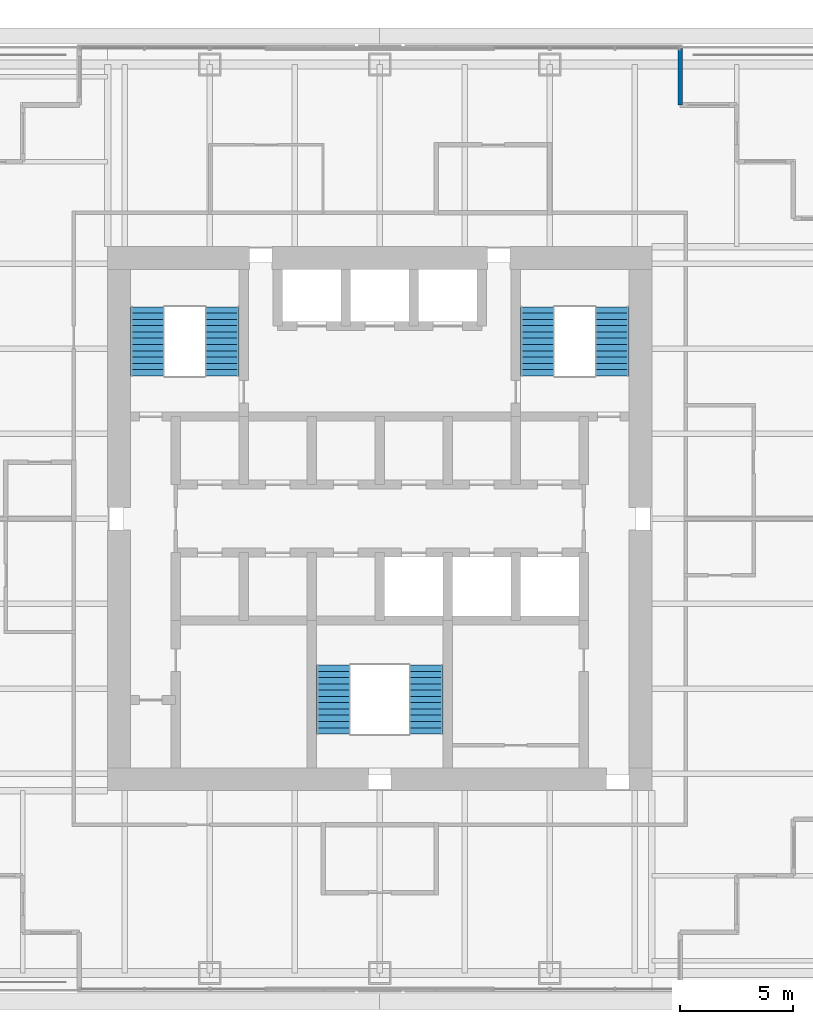
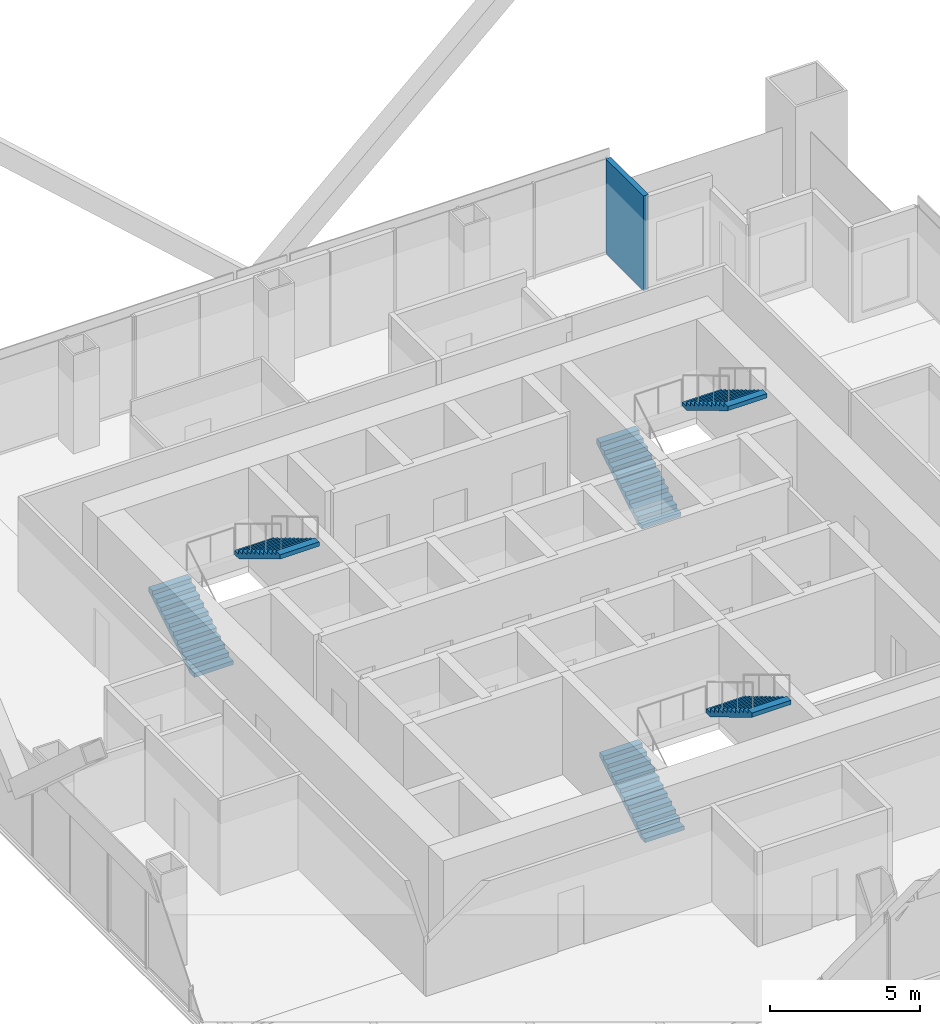
# One storey, part 17 of 19: 6 stair flights, 1 wall, 3 elements without a shape of their own.
"""IFC4 building model written with IfcOpenShell, lengths in metres."""

from ifc_helpers import new_model, si_unit, direction, frame, frame_2d, origin, place, context, subcontext, project, spatial, polyline, rectangle, outline, extrude, material, layer, layer_set, type_object, element, aggregate, save


model = new_model("IFC4")

# Units and contexts
model_context = context("Model", 3, precision=1e-05, world=origin(), true_north=direction((0.0, 1.0)))
body_context = subcontext(model_context, "Body", "Model", "MODEL_VIEW")
ifc_project = project(units=[si_unit("LENGTHUNIT", "METRE"), si_unit("AREAUNIT", "SQUARE_METRE"), si_unit("VOLUMEUNIT", "CUBIC_METRE"), si_unit("PLANEANGLEUNIT", "RADIAN"), si_unit("MASSUNIT", "GRAM", prefix="KILO")], contexts=[model_context])

# Site, building, storey
site_placement = place(None, origin())
site = spatial("IfcSite", under=ifc_project, at=site_placement, CompositionType="ELEMENT")
building_placement = place(site_placement, origin())
building = spatial("IfcBuilding", under=site, at=building_placement, Name="Tarangal Relay Tower", CompositionType="ELEMENT")
storey_placement = place(building_placement, frame((0.0, 0.0, 275.89990234375)))
storey = spatial("IfcBuildingStorey", under=building, at=storey_placement, Name="L60", CompositionType="ELEMENT", Elevation=275.89990234375)

# Wall
ifc_material_1 = material(Name="Black metal clad insulated wall", Category="steel")
ifc_layer = layer(ifc_material_1, 0.199951171875)
ifc_layer_set = layer_set([ifc_layer], Name="Corner wall metal clad 200")
wall_type = type_object("IfcWallType", Name="Corner wall metal clad 200", PredefinedType="SOLIDWALL", material=ifc_layer_set)
wall_placement = place(storey_placement, frame((13.25, 20.75, 0.0), z_axis=(0.0, 0.0, 1.0), x_axis=(0.0, -1.0, 0.0)))
element("IfcWall", 1, at=wall_placement, inside=storey, type_object=wall_type, Name="Facade wall N facade L60", PredefinedType="SOLIDWALL", context=body_context, shape_type="SweptSolid", body=[
    extrude(rectangle(XDim=2.5, YDim=0.199951171875, at=frame_2d((1.25, 0.0))), origin(), (0.0, 0.0, 1.0), 3.85009765625),
])

# Stair, stair flights
ifc_material_2 = material(Name="Steel ASTM A992 stair flight", Category="steel")
stair_type = type_object("IfcStairType", Name="Core stair 1500", PredefinedType="HALF_TURN_STAIR", material=ifc_material_2)
stair_1_placement = place(storey_placement, origin())
stair_1 = element("IfcStair", 2, at=stair_1_placement, inside=storey, type_object=stair_type, Name="Stair ST-A L60", PredefinedType="HALF_TURN_STAIR")
stair_flight_type = type_object("IfcStairFlightType", Name="Steel stair flight 1500, 12 risers 167 x 277", PredefinedType="STRAIGHT", material=ifc_material_2)
stair_flight_1_placement = place(storey_placement, frame((-10.25, 6.300048828125, 0.0), z_axis=(0.0, 0.0, 1.0), x_axis=(0.0, 1.0, 0.0)))
stair_flight_1 = element("IfcStairFlight", 3, at=stair_flight_1_placement, type_object=stair_flight_type, Name="ST-A flight 1", NumberOfRisers=12, NumberOfTreads=11, PredefinedType="STRAIGHT", RiserHeight=0.166666667, TreadLength=0.277, context=body_context, shape_type="SweptSolid", body=[
    extrude(outline(polyline([(0.0, 0.0), (0.0, 0.166748046875), (0.277099609375, 0.166748046875), (0.277099609375, 0.333251953125), (0.553955078125, 0.333251953125), (0.553955078125, 0.5), (0.8310546875, 0.5), (0.8310546875, 0.666748046875), (1.10791015625, 0.666748046875), (1.10791015625, 0.833251953125), (1.385009765625, 0.833251953125), (1.385009765625, 1.0), (1.662109375, 1.0), (1.662109375, 1.166748046875), (1.93896484375, 1.166748046875), (1.93896484375, 1.333251953125), (2.216064453125, 1.333251953125), (2.216064453125, 1.5), (2.492919921875, 1.5), (2.492919921875, 1.666748046875), (2.77001953125, 1.666748046875), (2.77001953125, 1.833251953125), (3.047119140625, 1.833251953125), (3.047119140625, 2.0), (3.047119140625, 1.658447265625), (0.290771484375, 0.0), (0.0, 0.0)])), frame((0.0, 0.75, 0.0), z_axis=(0.0, -1.0, 0.0), x_axis=(1.0, 0.0, 0.0)), (0.0, 0.0, 1.0), 1.5),
])
stair_flight_2_placement = place(storey_placement, frame((-6.949951171875, 9.346923828125, 2.0), z_axis=(0.0, 0.0, 1.0), x_axis=(0.0, -1.0, 0.0)))
stair_flight_2 = element("IfcStairFlight", 4, at=stair_flight_2_placement, type_object=stair_flight_type, Name="ST-A flight 2", NumberOfRisers=12, NumberOfTreads=11, PredefinedType="STRAIGHT", RiserHeight=0.166666667, TreadLength=0.277, context=body_context, shape_type="SweptSolid", body=[
    extrude(outline(polyline([(0.0, 0.0), (0.0, 0.166748046875), (0.277099609375, 0.166748046875), (0.277099609375, 0.333251953125), (0.553955078125, 0.333251953125), (0.553955078125, 0.5), (0.8310546875, 0.5), (0.8310546875, 0.666748046875), (1.10791015625, 0.666748046875), (1.10791015625, 0.833251953125), (1.385009765625, 0.833251953125), (1.385009765625, 1.0), (1.662109375, 1.0), (1.662109375, 1.166748046875), (1.93896484375, 1.166748046875), (1.93896484375, 1.333251953125), (2.216064453125, 1.333251953125), (2.216064453125, 1.5), (2.492919921875, 1.5), (2.492919921875, 1.666748046875), (2.77001953125, 1.666748046875), (2.77001953125, 1.833251953125), (3.047119140625, 1.833251953125), (3.047119140625, 2.0), (3.047119140625, 1.658447265625), (0.290771484375, 0.0), (0.0, 0.0)])), frame((0.0, 0.75, 0.0), z_axis=(0.0, -1.0, 0.0), x_axis=(1.0, 0.0, 0.0)), (0.0, 0.0, 1.0), 1.5),
])
aggregate(stair_1, [stair_flight_1, stair_flight_2])

stair_2_placement = place(storey_placement, origin())
stair_2 = element("IfcStair", 5, at=stair_2_placement, inside=storey, type_object=stair_type, Name="Stair ST-B L60", PredefinedType="HALF_TURN_STAIR")
stair_flight_3_placement = place(storey_placement, frame((6.949951171875, 6.300048828125, 0.0), z_axis=(0.0, 0.0, 1.0), x_axis=(0.0, 1.0, 0.0)))
stair_flight_3 = element("IfcStairFlight", 6, at=stair_flight_3_placement, type_object=stair_flight_type, Name="ST-B flight 1", NumberOfRisers=12, NumberOfTreads=11, PredefinedType="STRAIGHT", RiserHeight=0.166666667, TreadLength=0.277, context=body_context, shape_type="SweptSolid", body=[
    extrude(outline(polyline([(0.0, 0.0), (0.0, 0.166748046875), (0.277099609375, 0.166748046875), (0.277099609375, 0.333251953125), (0.553955078125, 0.333251953125), (0.553955078125, 0.5), (0.8310546875, 0.5), (0.8310546875, 0.666748046875), (1.10791015625, 0.666748046875), (1.10791015625, 0.833251953125), (1.385009765625, 0.833251953125), (1.385009765625, 1.0), (1.662109375, 1.0), (1.662109375, 1.166748046875), (1.93896484375, 1.166748046875), (1.93896484375, 1.333251953125), (2.216064453125, 1.333251953125), (2.216064453125, 1.5), (2.492919921875, 1.5), (2.492919921875, 1.666748046875), (2.77001953125, 1.666748046875), (2.77001953125, 1.833251953125), (3.047119140625, 1.833251953125), (3.047119140625, 2.0), (3.047119140625, 1.658447265625), (0.290771484375, 0.0), (0.0, 0.0)])), frame((0.0, 0.75, 0.0), z_axis=(0.0, -1.0, 0.0), x_axis=(1.0, 0.0, 0.0)), (0.0, 0.0, 1.0), 1.5),
])
stair_flight_4_placement = place(storey_placement, frame((10.25, 9.346923828125, 2.0), z_axis=(0.0, 0.0, 1.0), x_axis=(0.0, -1.0, 0.0)))
stair_flight_4 = element("IfcStairFlight", 7, at=stair_flight_4_placement, type_object=stair_flight_type, Name="ST-B flight 2", NumberOfRisers=12, NumberOfTreads=11, PredefinedType="STRAIGHT", RiserHeight=0.166666667, TreadLength=0.277, context=body_context, shape_type="SweptSolid", body=[
    extrude(outline(polyline([(0.0, 0.0), (0.0, 0.166748046875), (0.277099609375, 0.166748046875), (0.277099609375, 0.333251953125), (0.553955078125, 0.333251953125), (0.553955078125, 0.5), (0.8310546875, 0.5), (0.8310546875, 0.666748046875), (1.10791015625, 0.666748046875), (1.10791015625, 0.833251953125), (1.385009765625, 0.833251953125), (1.385009765625, 1.0), (1.662109375, 1.0), (1.662109375, 1.166748046875), (1.93896484375, 1.166748046875), (1.93896484375, 1.333251953125), (2.216064453125, 1.333251953125), (2.216064453125, 1.5), (2.492919921875, 1.5), (2.492919921875, 1.666748046875), (2.77001953125, 1.666748046875), (2.77001953125, 1.833251953125), (3.047119140625, 1.833251953125), (3.047119140625, 2.0), (3.047119140625, 1.658447265625), (0.290771484375, 0.0), (0.0, 0.0)])), frame((0.0, 0.75, 0.0), z_axis=(0.0, -1.0, 0.0), x_axis=(1.0, 0.0, 0.0)), (0.0, 0.0, 1.0), 1.5),
])
aggregate(stair_2, [stair_flight_3, stair_flight_4])

stair_3_placement = place(storey_placement, origin())
stair_3 = element("IfcStair", 8, at=stair_3_placement, inside=storey, type_object=stair_type, Name="Stair ST-C L60", PredefinedType="HALF_TURN_STAIR")
stair_flight_5_placement = place(storey_placement, frame((-2.050048828125, -9.5, 0.0), z_axis=(0.0, 0.0, 1.0), x_axis=(0.0, 1.0, 0.0)))
stair_flight_5 = element("IfcStairFlight", 9, at=stair_flight_5_placement, type_object=stair_flight_type, Name="ST-C flight 1", NumberOfRisers=12, NumberOfTreads=11, PredefinedType="STRAIGHT", RiserHeight=0.166666667, TreadLength=0.277, context=body_context, shape_type="SweptSolid", body=[
    extrude(outline(polyline([(0.0, 0.0), (0.0, 0.166748046875), (0.277099609375, 0.166748046875), (0.277099609375, 0.333251953125), (0.553955078125, 0.333251953125), (0.553955078125, 0.5), (0.8310546875, 0.5), (0.8310546875, 0.666748046875), (1.10791015625, 0.666748046875), (1.10791015625, 0.833251953125), (1.385009765625, 0.833251953125), (1.385009765625, 1.0), (1.662109375, 1.0), (1.662109375, 1.166748046875), (1.93896484375, 1.166748046875), (1.93896484375, 1.333251953125), (2.216064453125, 1.333251953125), (2.216064453125, 1.5), (2.492919921875, 1.5), (2.492919921875, 1.666748046875), (2.77001953125, 1.666748046875), (2.77001953125, 1.833251953125), (3.047119140625, 1.833251953125), (3.047119140625, 2.0), (3.047119140625, 1.658447265625), (0.290771484375, 0.0), (0.0, 0.0)])), frame((0.0, 0.75, 0.0), z_axis=(0.0, -1.0, 0.0), x_axis=(1.0, 0.0, 0.0)), (0.0, 0.0, 1.0), 1.5),
])
stair_flight_6_placement = place(storey_placement, frame((2.050048828125, -6.452880859375, 2.0), z_axis=(0.0, 0.0, 1.0), x_axis=(0.0, -1.0, 0.0)))
stair_flight_6 = element("IfcStairFlight", 10, at=stair_flight_6_placement, type_object=stair_flight_type, Name="ST-C flight 2", NumberOfRisers=12, NumberOfTreads=11, PredefinedType="STRAIGHT", RiserHeight=0.166666667, TreadLength=0.277, context=body_context, shape_type="SweptSolid", body=[
    extrude(outline(polyline([(0.0, 0.0), (0.0, 0.166748046875), (0.277099609375, 0.166748046875), (0.277099609375, 0.333251953125), (0.553955078125, 0.333251953125), (0.553955078125, 0.5), (0.8310546875, 0.5), (0.8310546875, 0.666748046875), (1.10791015625, 0.666748046875), (1.10791015625, 0.833251953125), (1.385009765625, 0.833251953125), (1.385009765625, 1.0), (1.662109375, 1.0), (1.662109375, 1.166748046875), (1.93896484375, 1.166748046875), (1.93896484375, 1.333251953125), (2.216064453125, 1.333251953125), (2.216064453125, 1.5), (2.492919921875, 1.5), (2.492919921875, 1.666748046875), (2.77001953125, 1.666748046875), (2.77001953125, 1.833251953125), (3.047119140625, 1.833251953125), (3.047119140625, 2.0), (3.047119140625, 1.658447265625), (0.290771484375, 0.0), (0.0, 0.0)])), frame((0.0, 0.75, 0.0), z_axis=(0.0, -1.0, 0.0), x_axis=(1.0, 0.0, 0.0)), (0.0, 0.0, 1.0), 1.5),
])
aggregate(stair_3, [stair_flight_5, stair_flight_6])

save(model, "model.ifc")
